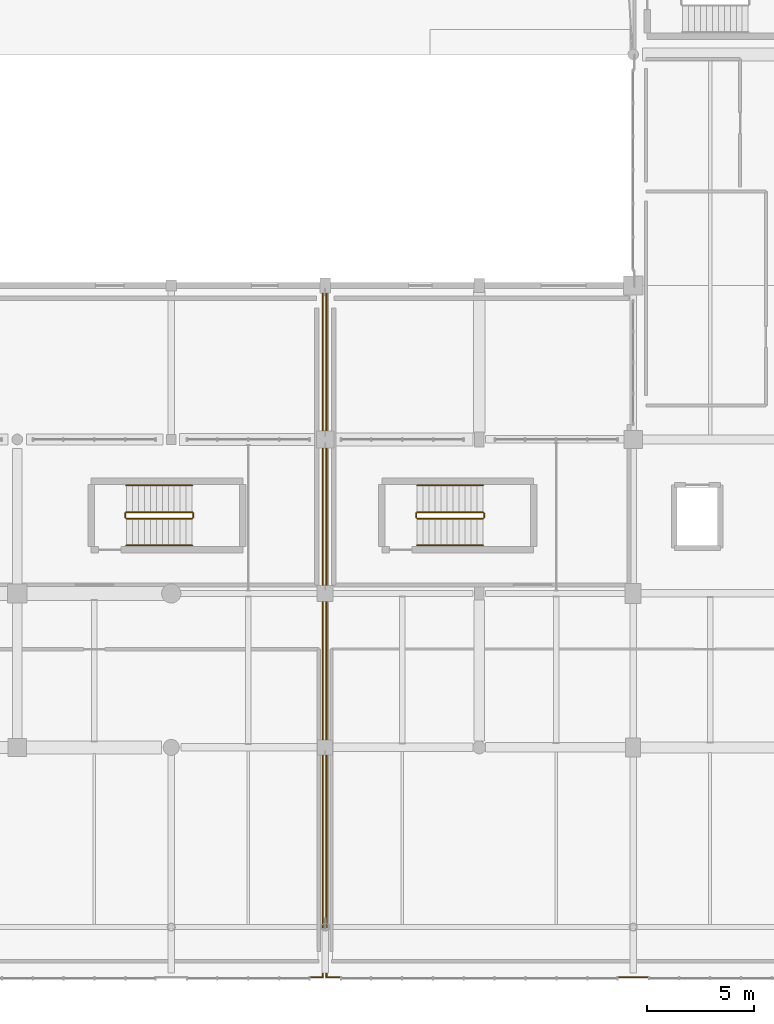
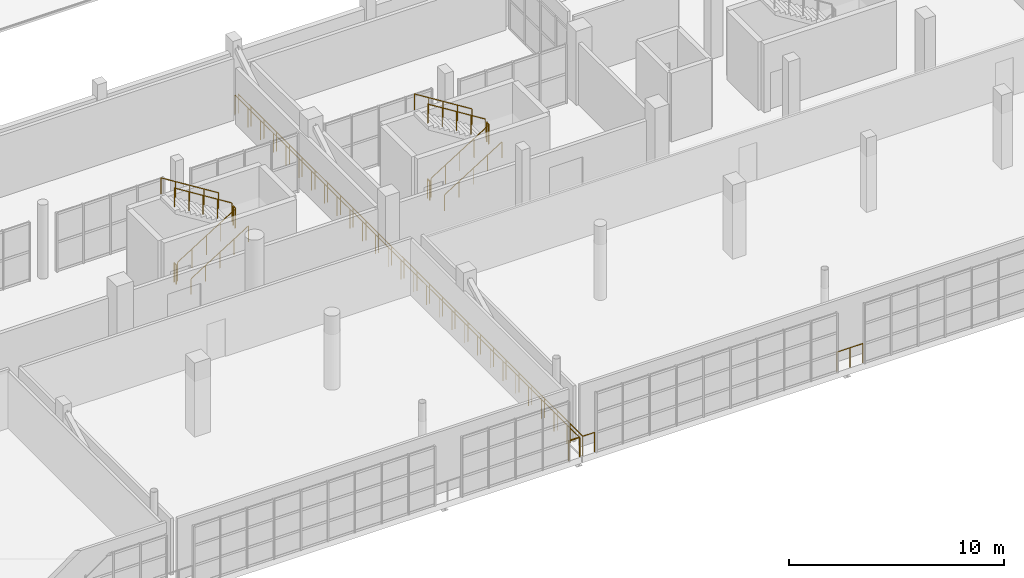
# One storey, part 85 of 90: 17 railings.
"""IFC4 building model written with IfcOpenShell, lengths in metres."""

from ifc_helpers import new_model, si_unit, direction, frame, origin, origin_2d, place, context, subcontext, project, spatial, circle, extrude, material, layer, layer_set, type_object, element, save


model = new_model("IFC4")

# Units and contexts
model_context = context("Model", 3, precision=1e-05, world=origin(), true_north=direction((0.0, 1.0)))
body_context = subcontext(model_context, "Body", "Model", "MODEL_VIEW")
ifc_project = project(units=[si_unit("LENGTHUNIT", "METRE"), si_unit("AREAUNIT", "SQUARE_METRE"), si_unit("VOLUMEUNIT", "CUBIC_METRE"), si_unit("PLANEANGLEUNIT", "RADIAN"), si_unit("MASSUNIT", "GRAM", prefix="KILO")], contexts=[model_context])

# Site, building, storey
site_placement = place(None, origin())
site = spatial("IfcSite", under=ifc_project, at=site_placement, CompositionType="ELEMENT")
building_placement = place(site_placement, origin())
building = spatial("IfcBuilding", under=site, at=building_placement, Name="Solanera Park Tramway Depot", CompositionType="ELEMENT")
storey_placement = place(building_placement, frame((0.0, 0.0, 9.0)))
storey = spatial("IfcBuildingStorey", under=building, at=storey_placement, Name="L02", CompositionType="ELEMENT", Elevation=9.0)

# Railings
ifc_material_1 = material(Name="Powder-coated galvanised steel balustrade", Category="steel")
ifc_layer_1 = layer(ifc_material_1, 0.06005859375)
ifc_layer_set_1 = layer_set([ifc_layer_1], Name="Powder-coated galvanised steel balustrade")
railing_type_1 = type_object("IfcRailingType", Name="Classical Wrought-Style Balustrade 1120", PredefinedType="BALUSTRADE", material=ifc_layer_set_1)
railing_1_placement = place(storey_placement, frame((151.090087890625, 32.080078125, 0.0)))
element("IfcRailing", 1, at=railing_1_placement, inside=storey, type_object=railing_type_1, Name="L02 Perimeter Deck Balustrade #036", PredefinedType="BALUSTRADE", context=body_context, shape_type="SweptSolid", body=[
    extrude(circle(Radius=0.02392578125, at=origin_2d()), frame((0.0, 0.0, 1.09619140625), z_axis=(0.0, -1.0, 0.0), x_axis=(1.0, 0.0, 0.0)), (0.0, 0.0, 1.0), 32.02001953125),
    extrude(circle(Radius=0.02099609375, at=origin_2d()), origin(), (0.0, 0.0, 1.0), 1.072021484375),
    extrude(circle(Radius=0.02099609375, at=origin_2d()), frame((0.0, -1.18603515625, 0.0)), (0.0, 0.0, 1.0), 1.072021484375),
    extrude(circle(Radius=0.02099609375, at=origin_2d()), frame((0.0, -2.371826171875, 0.0)), (0.0, 0.0, 1.0), 1.072021484375),
    extrude(circle(Radius=0.02099609375, at=origin_2d()), frame((0.0, -3.557861328125, 0.0)), (0.0, 0.0, 1.0), 1.072021484375),
    extrude(circle(Radius=0.02099609375, at=origin_2d()), frame((0.0, -4.74365234375, 0.0)), (0.0, 0.0, 1.0), 1.072021484375),
    extrude(circle(Radius=0.02099609375, at=origin_2d()), frame((0.0, -5.9296875, 0.0)), (0.0, 0.0, 1.0), 1.072021484375),
    extrude(circle(Radius=0.02099609375, at=origin_2d()), frame((0.0, -7.115478515625, 0.0)), (0.0, 0.0, 1.0), 1.072021484375),
    extrude(circle(Radius=0.02099609375, at=origin_2d()), frame((0.0, -8.301513671875, 0.0)), (0.0, 0.0, 1.0), 1.072021484375),
    extrude(circle(Radius=0.02099609375, at=origin_2d()), frame((0.0, -9.4873046875, 0.0)), (0.0, 0.0, 1.0), 1.072021484375),
    extrude(circle(Radius=0.02099609375, at=origin_2d()), frame((0.0, -10.67333984375, 0.0)), (0.0, 0.0, 1.0), 1.072021484375),
    extrude(circle(Radius=0.02099609375, at=origin_2d()), frame((0.0, -11.859375, 0.0)), (0.0, 0.0, 1.0), 1.072021484375),
    extrude(circle(Radius=0.02099609375, at=origin_2d()), frame((0.0, -13.045166015625, 0.0)), (0.0, 0.0, 1.0), 1.072021484375),
    extrude(circle(Radius=0.02099609375, at=origin_2d()), frame((0.0, -14.231201171875, 0.0)), (0.0, 0.0, 1.0), 1.072021484375),
    extrude(circle(Radius=0.02099609375, at=origin_2d()), frame((0.0, -15.4169921875, 0.0)), (0.0, 0.0, 1.0), 1.072021484375),
    extrude(circle(Radius=0.02099609375, at=origin_2d()), frame((0.0, -16.60302734375, 0.0)), (0.0, 0.0, 1.0), 1.072021484375),
    extrude(circle(Radius=0.02099609375, at=origin_2d()), frame((0.0, -17.788818359375, 0.0)), (0.0, 0.0, 1.0), 1.072021484375),
    extrude(circle(Radius=0.02099609375, at=origin_2d()), frame((0.0, -18.974853515625, 0.0)), (0.0, 0.0, 1.0), 1.072021484375),
    extrude(circle(Radius=0.02099609375, at=origin_2d()), frame((0.0, -20.16064453125, 0.0)), (0.0, 0.0, 1.0), 1.072021484375),
    extrude(circle(Radius=0.02099609375, at=origin_2d()), frame((0.0, -21.3466796875, 0.0)), (0.0, 0.0, 1.0), 1.072021484375),
    extrude(circle(Radius=0.02099609375, at=origin_2d()), frame((0.0, -22.53271484375, 0.0)), (0.0, 0.0, 1.0), 1.072021484375),
    extrude(circle(Radius=0.02099609375, at=origin_2d()), frame((0.0, -23.718505859375, 0.0)), (0.0, 0.0, 1.0), 1.072021484375),
    extrude(circle(Radius=0.02099609375, at=origin_2d()), frame((0.0, -24.904541015625, 0.0)), (0.0, 0.0, 1.0), 1.072021484375),
    extrude(circle(Radius=0.02099609375, at=origin_2d()), frame((0.0, -26.09033203125, 0.0)), (0.0, 0.0, 1.0), 1.072021484375),
    extrude(circle(Radius=0.02099609375, at=origin_2d()), frame((0.0, -27.2763671875, 0.0)), (0.0, 0.0, 1.0), 1.072021484375),
    extrude(circle(Radius=0.02099609375, at=origin_2d()), frame((0.0, -28.462158203125, 0.0)), (0.0, 0.0, 1.0), 1.072021484375),
    extrude(circle(Radius=0.02099609375, at=origin_2d()), frame((0.0, -29.648193359375, 0.0)), (0.0, 0.0, 1.0), 1.072021484375),
    extrude(circle(Radius=0.02099609375, at=origin_2d()), frame((0.0, -30.833984375, 0.0)), (0.0, 0.0, 1.0), 1.072021484375),
    extrude(circle(Radius=0.02099609375, at=origin_2d()), frame((0.0, -32.02001953125, 0.0)), (0.0, 0.0, 1.0), 1.072021484375),
])
railing_2_placement = place(storey_placement, frame((151.090087890625, 0.06005859375, 0.0)))
element("IfcRailing", 2, at=railing_2_placement, inside=storey, type_object=railing_type_1, Name="L02 Perimeter Deck Balustrade #037", PredefinedType="BALUSTRADE", context=body_context, shape_type="SweptSolid", body=[
    extrude(circle(Radius=0.02392578125, at=origin_2d()), frame((0.0, 0.0, 1.09619140625), z_axis=(-1.0, 0.0, 0.0), x_axis=(0.0, -1.0, 0.0)), (0.0, 0.0, 1.0), 0.590087890625),
    extrude(circle(Radius=0.02099609375, at=origin_2d()), origin(), (0.0, 0.0, 1.0), 1.072021484375),
    extrude(circle(Radius=0.02099609375, at=origin_2d()), frame((-0.590087890625, 0.0, 0.0)), (0.0, 0.0, 1.0), 1.072021484375),
])
railing_3_placement = place(storey_placement, frame((166.300048828125, 0.06005859375, 0.0)))
element("IfcRailing", 3, at=railing_3_placement, inside=storey, type_object=railing_type_1, Name="L02 Perimeter Deck Balustrade #047", PredefinedType="BALUSTRADE", context=body_context, shape_type="SweptSolid", body=[
    extrude(circle(Radius=0.02392578125, at=origin_2d()), frame((0.0, 0.0, 1.09619140625), z_axis=(-1.0, 0.0, 0.0), x_axis=(0.0, -1.0, 0.0)), (0.0, 0.0, 1.0), 1.400146484375),
    extrude(circle(Radius=0.02099609375, at=origin_2d()), origin(), (0.0, 0.0, 1.0), 1.072021484375),
    extrude(circle(Radius=0.02099609375, at=origin_2d()), frame((-0.7001953125, 0.0, 0.0)), (0.0, 0.0, 1.0), 1.072021484375),
    extrude(circle(Radius=0.02099609375, at=origin_2d()), frame((-1.400146484375, 0.0, 0.0)), (0.0, 0.0, 1.0), 1.072021484375),
])
railing_4_placement = place(storey_placement, frame((151.89990234375, 0.06005859375, 0.0)))
element("IfcRailing", 4, at=railing_4_placement, inside=storey, type_object=railing_type_1, Name="L02 Perimeter Deck Balustrade #048", PredefinedType="BALUSTRADE", context=body_context, shape_type="SweptSolid", body=[
    extrude(circle(Radius=0.02392578125, at=origin_2d()), frame((0.0, 0.0, 1.09619140625), z_axis=(-1.0, 0.0, 0.0), x_axis=(0.0, -1.0, 0.0)), (0.0, 0.0, 1.0), 0.639892578125),
    extrude(circle(Radius=0.02099609375, at=origin_2d()), origin(), (0.0, 0.0, 1.0), 1.072021484375),
    extrude(circle(Radius=0.02099609375, at=origin_2d()), frame((-0.639892578125, 0.0, 0.0)), (0.0, 0.0, 1.0), 1.072021484375),
])
railing_5_placement = place(storey_placement, frame((151.260009765625, 0.06005859375, 0.0)))
element("IfcRailing", 5, at=railing_5_placement, inside=storey, type_object=railing_type_1, Name="L02 Perimeter Deck Balustrade #049", PredefinedType="BALUSTRADE", context=body_context, shape_type="SweptSolid", body=[
    extrude(circle(Radius=0.02392578125, at=origin_2d()), frame((0.0, 0.0, 1.09619140625), z_axis=(0.0, 1.0, 0.0), x_axis=(-1.0, 0.0, 0.0)), (0.0, 0.0, 1.0), 32.02001953125),
    extrude(circle(Radius=0.02099609375, at=origin_2d()), origin(), (0.0, 0.0, 1.0), 1.072021484375),
    extrude(circle(Radius=0.02099609375, at=origin_2d()), frame((0.0, 1.18603515625, 0.0)), (0.0, 0.0, 1.0), 1.072021484375),
    extrude(circle(Radius=0.02099609375, at=origin_2d()), frame((0.0, 2.371826171875, 0.0)), (0.0, 0.0, 1.0), 1.072021484375),
    extrude(circle(Radius=0.02099609375, at=origin_2d()), frame((0.0, 3.557861328125, 0.0)), (0.0, 0.0, 1.0), 1.072021484375),
    extrude(circle(Radius=0.02099609375, at=origin_2d()), frame((0.0, 4.74365234375, 0.0)), (0.0, 0.0, 1.0), 1.072021484375),
    extrude(circle(Radius=0.02099609375, at=origin_2d()), frame((0.0, 5.9296875, 0.0)), (0.0, 0.0, 1.0), 1.072021484375),
    extrude(circle(Radius=0.02099609375, at=origin_2d()), frame((0.0, 7.115478515625, 0.0)), (0.0, 0.0, 1.0), 1.072021484375),
    extrude(circle(Radius=0.02099609375, at=origin_2d()), frame((0.0, 8.301513671875, 0.0)), (0.0, 0.0, 1.0), 1.072021484375),
    extrude(circle(Radius=0.02099609375, at=origin_2d()), frame((0.0, 9.4873046875, 0.0)), (0.0, 0.0, 1.0), 1.072021484375),
    extrude(circle(Radius=0.02099609375, at=origin_2d()), frame((0.0, 10.67333984375, 0.0)), (0.0, 0.0, 1.0), 1.072021484375),
    extrude(circle(Radius=0.02099609375, at=origin_2d()), frame((0.0, 11.859375, 0.0)), (0.0, 0.0, 1.0), 1.072021484375),
    extrude(circle(Radius=0.02099609375, at=origin_2d()), frame((0.0, 13.045166015625, 0.0)), (0.0, 0.0, 1.0), 1.072021484375),
    extrude(circle(Radius=0.02099609375, at=origin_2d()), frame((0.0, 14.231201171875, 0.0)), (0.0, 0.0, 1.0), 1.072021484375),
    extrude(circle(Radius=0.02099609375, at=origin_2d()), frame((0.0, 15.4169921875, 0.0)), (0.0, 0.0, 1.0), 1.072021484375),
    extrude(circle(Radius=0.02099609375, at=origin_2d()), frame((0.0, 16.60302734375, 0.0)), (0.0, 0.0, 1.0), 1.072021484375),
    extrude(circle(Radius=0.02099609375, at=origin_2d()), frame((0.0, 17.788818359375, 0.0)), (0.0, 0.0, 1.0), 1.072021484375),
    extrude(circle(Radius=0.02099609375, at=origin_2d()), frame((0.0, 18.974853515625, 0.0)), (0.0, 0.0, 1.0), 1.072021484375),
    extrude(circle(Radius=0.02099609375, at=origin_2d()), frame((0.0, 20.16064453125, 0.0)), (0.0, 0.0, 1.0), 1.072021484375),
    extrude(circle(Radius=0.02099609375, at=origin_2d()), frame((0.0, 21.3466796875, 0.0)), (0.0, 0.0, 1.0), 1.072021484375),
    extrude(circle(Radius=0.02099609375, at=origin_2d()), frame((0.0, 22.53271484375, 0.0)), (0.0, 0.0, 1.0), 1.072021484375),
    extrude(circle(Radius=0.02099609375, at=origin_2d()), frame((0.0, 23.718505859375, 0.0)), (0.0, 0.0, 1.0), 1.072021484375),
    extrude(circle(Radius=0.02099609375, at=origin_2d()), frame((0.0, 24.904541015625, 0.0)), (0.0, 0.0, 1.0), 1.072021484375),
    extrude(circle(Radius=0.02099609375, at=origin_2d()), frame((0.0, 26.09033203125, 0.0)), (0.0, 0.0, 1.0), 1.072021484375),
    extrude(circle(Radius=0.02099609375, at=origin_2d()), frame((0.0, 27.2763671875, 0.0)), (0.0, 0.0, 1.0), 1.072021484375),
    extrude(circle(Radius=0.02099609375, at=origin_2d()), frame((0.0, 28.462158203125, 0.0)), (0.0, 0.0, 1.0), 1.072021484375),
    extrude(circle(Radius=0.02099609375, at=origin_2d()), frame((0.0, 29.648193359375, 0.0)), (0.0, 0.0, 1.0), 1.072021484375),
    extrude(circle(Radius=0.02099609375, at=origin_2d()), frame((0.0, 30.833984375, 0.0)), (0.0, 0.0, 1.0), 1.072021484375),
    extrude(circle(Radius=0.02099609375, at=origin_2d()), frame((0.0, 32.02001953125, 0.0)), (0.0, 0.0, 1.0), 1.072021484375),
])
ifc_material_2 = material(Name="Brushed stainless steel 316 handrail", Category="steel")
ifc_layer_2 = layer(ifc_material_2, 0.050048828125)
ifc_layer_set_2 = layer_set([ifc_layer_2], Name="Brushed stainless steel 316 handrail")
railing_type_2 = type_object("IfcRailingType", Name="Stair Pitch Tubular Handrail 920", PredefinedType="HANDRAIL", material=ifc_layer_set_2)
railing_6_placement = place(storey_placement, frame((141.89990234375, 20.25, 0.175048828125)))
element("IfcRailing", 6, at=railing_6_placement, inside=storey, type_object=railing_type_2, Name="ST-02 L02 Pitch Handrail 1", PredefinedType="HANDRAIL", context=body_context, shape_type="SweptSolid", body=[
    extrude(circle(Radius=0.02392578125, at=origin_2d()), frame((0.0, 0.0, 0.89599609375), z_axis=(0.847998304005, 0.0, 0.529998940003), x_axis=(0.0, 1.0, 0.0)), (0.0, 0.0, 1.0), 3.632080078125),
    extrude(circle(Radius=0.02099609375, at=origin_2d()), origin(), (0.0, 0.0, 1.0), 0.871826171875),
    extrude(circle(Radius=0.02099609375, at=origin_2d()), frame((0.77001953125, 0.0, 0.481201171875)), (0.0, 0.0, 1.0), 0.871826171875),
    extrude(circle(Radius=0.02099609375, at=origin_2d()), frame((1.5400390625, 0.0, 0.96240234375)), (0.0, 0.0, 1.0), 0.871826171875),
    extrude(circle(Radius=0.02099609375, at=origin_2d()), frame((2.31005859375, 0.0, 1.44384765625)), (0.0, 0.0, 1.0), 0.871826171875),
    extrude(circle(Radius=0.02099609375, at=origin_2d()), frame((3.080078125, 0.0, 1.925048828125)), (0.0, 0.0, 1.0), 0.871826171875),
])
railing_7_placement = place(storey_placement, frame((144.97998046875, 23.050048828125, 2.27490234375)))
element("IfcRailing", 7, at=railing_7_placement, inside=storey, type_object=railing_type_2, Name="ST-02 L02 Pitch Handrail 2", PredefinedType="HANDRAIL", context=body_context, shape_type="SweptSolid", body=[
    extrude(circle(Radius=0.02392578125, at=origin_2d()), frame((0.0, 0.0, 0.89599609375), z_axis=(-0.847998304005, 0.0, 0.529998940003), x_axis=(0.0, -1.0, 0.0)), (0.0, 0.0, 1.0), 3.632080078125),
    extrude(circle(Radius=0.02099609375, at=origin_2d()), origin(), (0.0, 0.0, 1.0), 0.871826171875),
    extrude(circle(Radius=0.02099609375, at=origin_2d()), frame((-0.77001953125, 0.0, 0.481201171875)), (0.0, 0.0, 1.0), 0.871826171875),
    extrude(circle(Radius=0.02099609375, at=origin_2d()), frame((-1.5400390625, 0.0, 0.96240234375)), (0.0, 0.0, 1.0), 0.871826171875),
    extrude(circle(Radius=0.02099609375, at=origin_2d()), frame((-2.31005859375, 0.0, 1.44384765625)), (0.0, 0.0, 1.0), 0.871826171875),
    extrude(circle(Radius=0.02099609375, at=origin_2d()), frame((-3.080078125, 0.0, 1.925048828125)), (0.0, 0.0, 1.0), 0.871826171875),
])
railing_8_placement = place(storey_placement, frame((155.5, 20.25, 0.175048828125)))
element("IfcRailing", 8, at=railing_8_placement, inside=storey, type_object=railing_type_2, Name="ST-03 L02 Pitch Handrail 1", PredefinedType="HANDRAIL", context=body_context, shape_type="SweptSolid", body=[
    extrude(circle(Radius=0.02392578125, at=origin_2d()), frame((0.0, 0.0, 0.89599609375), z_axis=(0.847998304005, 0.0, 0.529998940003), x_axis=(0.0, 1.0, 0.0)), (0.0, 0.0, 1.0), 3.632080078125),
    extrude(circle(Radius=0.02099609375, at=origin_2d()), origin(), (0.0, 0.0, 1.0), 0.871826171875),
    extrude(circle(Radius=0.02099609375, at=origin_2d()), frame((0.77001953125, 0.0, 0.481201171875)), (0.0, 0.0, 1.0), 0.871826171875),
    extrude(circle(Radius=0.02099609375, at=origin_2d()), frame((1.5400390625, 0.0, 0.96240234375)), (0.0, 0.0, 1.0), 0.871826171875),
    extrude(circle(Radius=0.02099609375, at=origin_2d()), frame((2.31005859375, 0.0, 1.44384765625)), (0.0, 0.0, 1.0), 0.871826171875),
    extrude(circle(Radius=0.02099609375, at=origin_2d()), frame((3.080078125, 0.0, 1.925048828125)), (0.0, 0.0, 1.0), 0.871826171875),
])
railing_9_placement = place(storey_placement, frame((158.580078125, 23.050048828125, 2.27490234375)))
element("IfcRailing", 9, at=railing_9_placement, inside=storey, type_object=railing_type_2, Name="ST-03 L02 Pitch Handrail 2", PredefinedType="HANDRAIL", context=body_context, shape_type="SweptSolid", body=[
    extrude(circle(Radius=0.02392578125, at=origin_2d()), frame((0.0, 0.0, 0.89599609375), z_axis=(-0.847998304005, 0.0, 0.529998940003), x_axis=(0.0, -1.0, 0.0)), (0.0, 0.0, 1.0), 3.632080078125),
    extrude(circle(Radius=0.02099609375, at=origin_2d()), origin(), (0.0, 0.0, 1.0), 0.871826171875),
    extrude(circle(Radius=0.02099609375, at=origin_2d()), frame((-0.77001953125, 0.0, 0.481201171875)), (0.0, 0.0, 1.0), 0.871826171875),
    extrude(circle(Radius=0.02099609375, at=origin_2d()), frame((-1.5400390625, 0.0, 0.96240234375)), (0.0, 0.0, 1.0), 0.871826171875),
    extrude(circle(Radius=0.02099609375, at=origin_2d()), frame((-2.31005859375, 0.0, 1.44384765625)), (0.0, 0.0, 1.0), 0.871826171875),
    extrude(circle(Radius=0.02099609375, at=origin_2d()), frame((-3.080078125, 0.0, 1.925048828125)), (0.0, 0.0, 1.0), 0.871826171875),
])
ifc_material_3 = material(Name="Steel AS/NZS 1163 Grade C350L0", Category="steel")
ifc_layer_3 = layer(ifc_material_3, 0.06005859375)
ifc_layer_set_3 = layer_set([ifc_layer_3], Name="Steel AS/NZS 1163 Grade C350L0")
railing_type_3 = type_object("IfcRailingType", Name="Stairwell Guardrail 1100", PredefinedType="GUARDRAIL", material=ifc_layer_set_3)
railing_10_placement = place(storey_placement, frame((141.89990234375, 21.5, 0.175048828125)))
element("IfcRailing", 10, at=railing_10_placement, inside=storey, type_object=railing_type_3, Name="ST-02 L02 Well Guard 1", PredefinedType="GUARDRAIL", context=body_context, shape_type="SweptSolid", body=[
    extrude(circle(Radius=0.02392578125, at=origin_2d()), frame((0.0, 0.0, 1.076171875), z_axis=(0.847998304005, 0.0, 0.529998940003), x_axis=(0.0, 1.0, 0.0)), (0.0, 0.0, 1.0), 3.632080078125),
    extrude(circle(Radius=0.02099609375, at=origin_2d()), origin(), (0.0, 0.0, 1.0), 1.052001953125),
    extrude(circle(Radius=0.02099609375, at=origin_2d()), frame((0.77001953125, 0.0, 0.481201171875)), (0.0, 0.0, 1.0), 1.052001953125),
    extrude(circle(Radius=0.02099609375, at=origin_2d()), frame((1.5400390625, 0.0, 0.96240234375)), (0.0, 0.0, 1.0), 1.052001953125),
    extrude(circle(Radius=0.02099609375, at=origin_2d()), frame((2.31005859375, 0.0, 1.44384765625)), (0.0, 0.0, 1.0), 1.052001953125),
    extrude(circle(Radius=0.02099609375, at=origin_2d()), frame((3.080078125, 0.0, 1.925048828125)), (0.0, 0.0, 1.0), 1.052001953125),
])
railing_11_placement = place(storey_placement, frame((145.030029296875, 21.550048828125, 2.10009765625)))
element("IfcRailing", 11, at=railing_11_placement, inside=storey, type_object=railing_type_3, Name="ST-02 L02 Well Guard 2", PredefinedType="GUARDRAIL", context=body_context, shape_type="SweptSolid", body=[
    extrude(circle(Radius=0.02392578125, at=origin_2d()), frame((0.0, 0.0, 1.076171875), z_axis=(0.0, 1.0, 0.0), x_axis=(-1.0, 0.0, 0.0)), (0.0, 0.0, 1.0), 0.199951171875),
    extrude(circle(Radius=0.02099609375, at=origin_2d()), origin(), (0.0, 0.0, 1.0), 1.052001953125),
    extrude(circle(Radius=0.02099609375, at=origin_2d()), frame((0.0, 0.199951171875, 0.0)), (0.0, 0.0, 1.0), 1.052001953125),
])
railing_12_placement = place(storey_placement, frame((144.97998046875, 21.800048828125, 2.27490234375)))
element("IfcRailing", 12, at=railing_12_placement, inside=storey, type_object=railing_type_3, Name="ST-02 L02 Well Guard 3", PredefinedType="GUARDRAIL", context=body_context, shape_type="SweptSolid", body=[
    extrude(circle(Radius=0.02392578125, at=origin_2d()), frame((0.0, 0.0, 1.076171875), z_axis=(-0.847998304005, 0.0, 0.529998940003), x_axis=(0.0, -1.0, 0.0)), (0.0, 0.0, 1.0), 3.632080078125),
    extrude(circle(Radius=0.02099609375, at=origin_2d()), origin(), (0.0, 0.0, 1.0), 1.052001953125),
    extrude(circle(Radius=0.02099609375, at=origin_2d()), frame((-0.77001953125, 0.0, 0.481201171875)), (0.0, 0.0, 1.0), 1.052001953125),
    extrude(circle(Radius=0.02099609375, at=origin_2d()), frame((-1.5400390625, 0.0, 0.96240234375)), (0.0, 0.0, 1.0), 1.052001953125),
    extrude(circle(Radius=0.02099609375, at=origin_2d()), frame((-2.31005859375, 0.0, 1.44384765625)), (0.0, 0.0, 1.0), 1.052001953125),
    extrude(circle(Radius=0.02099609375, at=origin_2d()), frame((-3.080078125, 0.0, 1.925048828125)), (0.0, 0.0, 1.0), 1.052001953125),
])
railing_13_placement = place(storey_placement, frame((141.85009765625, 21.550048828125, 0.0)))
element("IfcRailing", 13, at=railing_13_placement, inside=storey, type_object=railing_type_3, Name="ST-02 L02 Well Guard 4", PredefinedType="GUARDRAIL", context=body_context, shape_type="SweptSolid", body=[
    extrude(circle(Radius=0.02392578125, at=origin_2d()), frame((0.0, 0.0, 1.076171875), z_axis=(0.0, 1.0, 0.0), x_axis=(-1.0, 0.0, 0.0)), (0.0, 0.0, 1.0), 0.199951171875),
    extrude(circle(Radius=0.02099609375, at=origin_2d()), origin(), (0.0, 0.0, 1.0), 1.052001953125),
    extrude(circle(Radius=0.02099609375, at=origin_2d()), frame((0.0, 0.199951171875, 0.0)), (0.0, 0.0, 1.0), 1.052001953125),
])
railing_14_placement = place(storey_placement, frame((155.5, 21.5, 0.175048828125)))
element("IfcRailing", 14, at=railing_14_placement, inside=storey, type_object=railing_type_3, Name="ST-03 L02 Well Guard 1", PredefinedType="GUARDRAIL", context=body_context, shape_type="SweptSolid", body=[
    extrude(circle(Radius=0.02392578125, at=origin_2d()), frame((0.0, 0.0, 1.076171875), z_axis=(0.847998304005, 0.0, 0.529998940003), x_axis=(0.0, 1.0, 0.0)), (0.0, 0.0, 1.0), 3.632080078125),
    extrude(circle(Radius=0.02099609375, at=origin_2d()), origin(), (0.0, 0.0, 1.0), 1.052001953125),
    extrude(circle(Radius=0.02099609375, at=origin_2d()), frame((0.77001953125, 0.0, 0.481201171875)), (0.0, 0.0, 1.0), 1.052001953125),
    extrude(circle(Radius=0.02099609375, at=origin_2d()), frame((1.5400390625, 0.0, 0.96240234375)), (0.0, 0.0, 1.0), 1.052001953125),
    extrude(circle(Radius=0.02099609375, at=origin_2d()), frame((2.31005859375, 0.0, 1.44384765625)), (0.0, 0.0, 1.0), 1.052001953125),
    extrude(circle(Radius=0.02099609375, at=origin_2d()), frame((3.080078125, 0.0, 1.925048828125)), (0.0, 0.0, 1.0), 1.052001953125),
])
railing_15_placement = place(storey_placement, frame((158.6298828125, 21.550048828125, 2.10009765625)))
element("IfcRailing", 15, at=railing_15_placement, inside=storey, type_object=railing_type_3, Name="ST-03 L02 Well Guard 2", PredefinedType="GUARDRAIL", context=body_context, shape_type="SweptSolid", body=[
    extrude(circle(Radius=0.02392578125, at=origin_2d()), frame((0.0, 0.0, 1.076171875), z_axis=(0.0, 1.0, 0.0), x_axis=(-1.0, 0.0, 0.0)), (0.0, 0.0, 1.0), 0.199951171875),
    extrude(circle(Radius=0.02099609375, at=origin_2d()), origin(), (0.0, 0.0, 1.0), 1.052001953125),
    extrude(circle(Radius=0.02099609375, at=origin_2d()), frame((0.0, 0.199951171875, 0.0)), (0.0, 0.0, 1.0), 1.052001953125),
])
railing_16_placement = place(storey_placement, frame((158.580078125, 21.800048828125, 2.27490234375)))
element("IfcRailing", 16, at=railing_16_placement, inside=storey, type_object=railing_type_3, Name="ST-03 L02 Well Guard 3", PredefinedType="GUARDRAIL", context=body_context, shape_type="SweptSolid", body=[
    extrude(circle(Radius=0.02392578125, at=origin_2d()), frame((0.0, 0.0, 1.076171875), z_axis=(-0.847998304005, 0.0, 0.529998940003), x_axis=(0.0, -1.0, 0.0)), (0.0, 0.0, 1.0), 3.632080078125),
    extrude(circle(Radius=0.02099609375, at=origin_2d()), origin(), (0.0, 0.0, 1.0), 1.052001953125),
    extrude(circle(Radius=0.02099609375, at=origin_2d()), frame((-0.77001953125, 0.0, 0.481201171875)), (0.0, 0.0, 1.0), 1.052001953125),
    extrude(circle(Radius=0.02099609375, at=origin_2d()), frame((-1.5400390625, 0.0, 0.96240234375)), (0.0, 0.0, 1.0), 1.052001953125),
    extrude(circle(Radius=0.02099609375, at=origin_2d()), frame((-2.31005859375, 0.0, 1.44384765625)), (0.0, 0.0, 1.0), 1.052001953125),
    extrude(circle(Radius=0.02099609375, at=origin_2d()), frame((-3.080078125, 0.0, 1.925048828125)), (0.0, 0.0, 1.0), 1.052001953125),
])
railing_17_placement = place(storey_placement, frame((155.449951171875, 21.550048828125, 0.0)))
element("IfcRailing", 17, at=railing_17_placement, inside=storey, type_object=railing_type_3, Name="ST-03 L02 Well Guard 4", PredefinedType="GUARDRAIL", context=body_context, shape_type="SweptSolid", body=[
    extrude(circle(Radius=0.02392578125, at=origin_2d()), frame((0.0, 0.0, 1.076171875), z_axis=(0.0, 1.0, 0.0), x_axis=(-1.0, 0.0, 0.0)), (0.0, 0.0, 1.0), 0.199951171875),
    extrude(circle(Radius=0.02099609375, at=origin_2d()), origin(), (0.0, 0.0, 1.0), 1.052001953125),
    extrude(circle(Radius=0.02099609375, at=origin_2d()), frame((0.0, 0.199951171875, 0.0)), (0.0, 0.0, 1.0), 1.052001953125),
])

save(model, "model.ifc")
